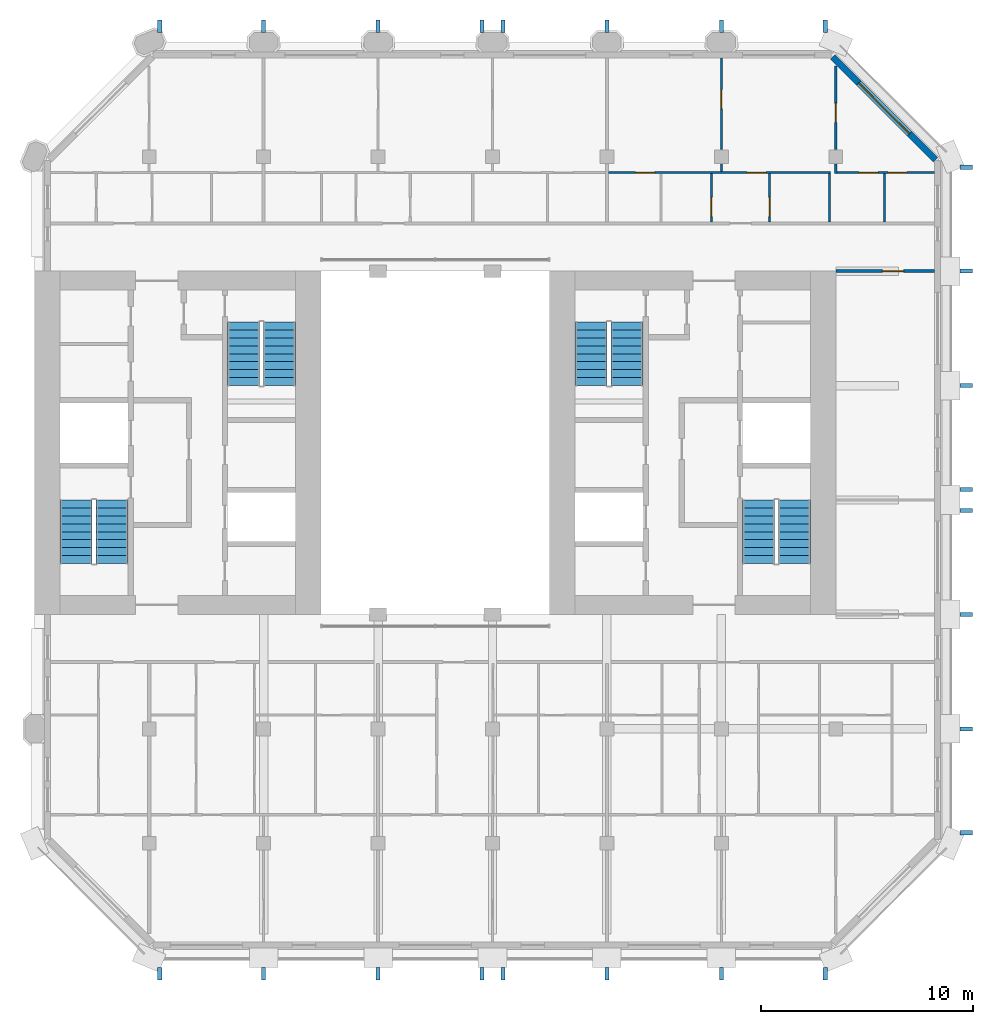
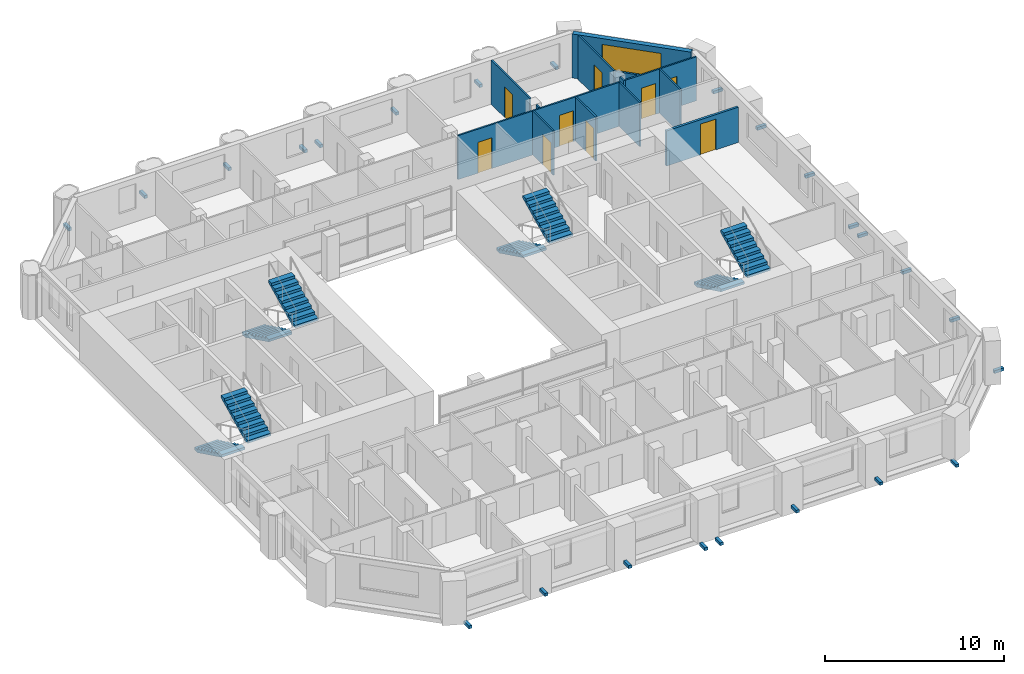
# One storey, part 11 of 13: 24 discrete accessories, 12 walls, 9 doors, 8 stair flights, 1 window, 10 openings, 4 elements without a shape of their own.
"""IFC4 building model written with IfcOpenShell, lengths in metres."""

from ifc_helpers import new_model, si_unit, direction, frame, frame_2d, origin, origin_2d, place, context, subcontext, project, spatial, polyline, rectangle, outline, extrude, material, layer, layer_set, type_object, element, fill, aggregate, save


model = new_model("IFC4")

# Units and contexts
model_context = context("Model", 3, precision=1e-05, world=origin(), true_north=direction((0.0, 1.0)))
body_context = subcontext(model_context, "Body", "Model", "MODEL_VIEW")
ifc_project = project(units=[si_unit("LENGTHUNIT", "METRE"), si_unit("AREAUNIT", "SQUARE_METRE"), si_unit("VOLUMEUNIT", "CUBIC_METRE"), si_unit("PLANEANGLEUNIT", "RADIAN"), si_unit("MASSUNIT", "GRAM", prefix="KILO")], contexts=[model_context])

# Site, building, storey
site_placement = place(None, origin())
site = spatial("IfcSite", under=ifc_project, at=site_placement, CompositionType="ELEMENT")
building_placement = place(site_placement, origin())
building = spatial("IfcBuilding", under=site, at=building_placement, Name="Tabaq Tower and Sports Hall", CompositionType="ELEMENT")
storey_placement = place(building_placement, frame((0.0, 0.0, 271.89990234375)))
storey = spatial("IfcBuildingStorey", under=building, at=storey_placement, Name="L66", CompositionType="ELEMENT", Elevation=271.89990234375)

# Wall
ifc_material_1 = material(Name="Gypsum board on steel studs", Category="steel")
ifc_layer_1 = layer(ifc_material_1, 0.10009765625)
ifc_layer_set_1 = layer_set([ifc_layer_1], Name="Partition 100 Gypsum board")
wall_type_1 = type_object("IfcWallType", Name="Partition 100 Gypsum board", PredefinedType="PARTITIONING", material=ifc_layer_set_1)
wall_1_placement = place(storey_placement, frame((37.800048828125, 37.10009765625, 0.0), z_axis=(0.0, 0.0, 1.0), x_axis=(0.0, 1.0, 0.0)))
element("IfcWall", 1, at=wall_1_placement, inside=storey, type_object=wall_type_1, Name="Partition wall L66", PredefinedType="PARTITIONING", context=body_context, shape_type="SweptSolid", body=[
    extrude(rectangle(XDim=0.35498046875, YDim=0.10009765625, at=frame_2d((0.177490234375, 0.0))), origin(), (0.0, 0.0, 1.0), 3.0),
])

# Wall, opening, door
wall_2_placement = place(storey_placement, frame((37.800048828125, 38.14501953125, 0.0), z_axis=(0.0, 0.0, 1.0), x_axis=(0.0, 1.0, 0.0)))
wall_2 = element("IfcWall", 2, at=wall_2_placement, inside=storey, type_object=wall_type_1, Name="Partition wall L66", PredefinedType="PARTITIONING", context=body_context, shape_type="SweptSolid", body=[
    extrude(rectangle(XDim=4.303955078125, YDim=0.10009765625, at=frame_2d((2.15185546875, 0.0))), origin(), (0.0, 0.0, 1.0), 3.0),
])
opening_1_placement = place(wall_2_placement, frame((1.91796875, 0.0, 0.0)))
opening_1 = element("IfcOpeningElement", 3, at=opening_1_placement, cuts=wall_2, Name="Opening L66-035", PredefinedType="OPENING", context=body_context, shape_type="SweptSolid", body=[
    extrude(rectangle(XDim=0.89990234375, YDim=2.10009765625, at=frame_2d((0.449951171875, 1.050048828125))), frame((0.0, 0.050048828125, 0.0), z_axis=(0.0, -1.0, 0.0), x_axis=(1.0, 0.0, 0.0)), (0.0, 0.0, 1.0), 0.10009765625),
])
ifc_material_2 = material(Name="Timber leaf in steel frame", Category="steel")
door_type_1 = type_object("IfcDoorType", Name="Internal door 900 right hand", OperationType="SINGLE_SWING_RIGHT", PredefinedType="DOOR", material=ifc_material_2)
door_1_placement = place(opening_1_placement, origin())
door_1 = element("IfcDoor", 4, at=door_1_placement, inside=storey, type_object=door_type_1, Name="Internal door L66-035", OperationType="SINGLE_SWING_RIGHT", OverallHeight=2.10009765625, OverallWidth=0.89990234375, PredefinedType="DOOR", context=body_context, shape_type="SweptSolid", body=[
    extrude(rectangle(XDim=0.89990234375, YDim=2.10009765625, at=frame_2d((0.449951171875, 1.050048828125))), frame((0.0, 0.02490234375, 0.0), z_axis=(0.0, -1.0, 0.0), x_axis=(1.0, 0.0, 0.0)), (0.0, 0.0, 1.0), 0.050048828125),
])
fill(opening_1, door_1)

# Wall, openings, doors
wall_3_placement = place(storey_placement, frame((32.47509765625, 37.050048828125, 0.0), z_axis=(0.0, 0.0, 1.0), x_axis=(1.0, 0.0, 0.0)))
wall_3 = element("IfcWall", 5, at=wall_3_placement, inside=storey, type_object=wall_type_1, Name="Partition wall L66", PredefinedType="PARTITIONING", context=body_context, shape_type="SweptSolid", body=[
    extrude(rectangle(XDim=10.48486328125, YDim=0.10009765625, at=frame_2d((5.242431640625, 0.0))), origin(), (0.0, 0.0, 1.0), 3.0),
])
opening_2_placement = place(wall_3_placement, frame((1.27490234375, 0.0, 0.0)))
opening_2 = element("IfcOpeningElement", 6, at=opening_2_placement, cuts=wall_3, Name="Opening L66-008", PredefinedType="OPENING", context=body_context, shape_type="SweptSolid", body=[
    extrude(rectangle(XDim=0.89990234375, YDim=2.10009765625, at=frame_2d((0.449951171875, 1.050048828125))), frame((0.0, 0.050048828125, 0.0), z_axis=(0.0, -1.0, 0.0), x_axis=(1.0, 0.0, 0.0)), (0.0, 0.0, 1.0), 0.10009765625),
])
opening_3_placement = place(wall_3_placement, frame((6.534912109375, 0.0, 0.0)))
opening_3 = element("IfcOpeningElement", 7, at=opening_3_placement, cuts=wall_3, Name="Opening L66-054", PredefinedType="OPENING", context=body_context, shape_type="SweptSolid", body=[
    extrude(rectangle(XDim=0.89990234375, YDim=2.10009765625, at=frame_2d((0.449951171875, 1.050048828125))), frame((0.0, 0.050048828125, 0.0), z_axis=(0.0, -1.0, 0.0), x_axis=(1.0, 0.0, 0.0)), (0.0, 0.0, 1.0), 0.10009765625),
])
door_2_placement = place(opening_2_placement, origin())
door_2 = element("IfcDoor", 8, at=door_2_placement, inside=storey, type_object=door_type_1, Name="Internal door L66-008", OperationType="SINGLE_SWING_RIGHT", OverallHeight=2.10009765625, OverallWidth=0.89990234375, PredefinedType="DOOR", context=body_context, shape_type="SweptSolid", body=[
    extrude(rectangle(XDim=0.89990234375, YDim=2.10009765625, at=frame_2d((0.449951171875, 1.050048828125))), frame((0.0, 0.02490234375, 0.0), z_axis=(0.0, -1.0, 0.0), x_axis=(1.0, 0.0, 0.0)), (0.0, 0.0, 1.0), 0.050048828125),
])
fill(opening_2, door_2)
door_3_placement = place(opening_3_placement, origin())
door_3 = element("IfcDoor", 9, at=door_3_placement, inside=storey, type_object=door_type_1, Name="Internal door L66-054", OperationType="SINGLE_SWING_RIGHT", OverallHeight=2.10009765625, OverallWidth=0.89990234375, PredefinedType="DOOR", context=body_context, shape_type="SweptSolid", body=[
    extrude(rectangle(XDim=0.89990234375, YDim=2.10009765625, at=frame_2d((0.449951171875, 1.050048828125))), frame((0.0, 0.02490234375, 0.0), z_axis=(0.0, -1.0, 0.0), x_axis=(1.0, 0.0, 0.0)), (0.0, 0.0, 1.0), 0.050048828125),
])
fill(opening_3, door_3)

# Wall
wall_4_placement = place(storey_placement, frame((43.199951171875, 37.0, 0.0), z_axis=(0.0, 0.0, 1.0), x_axis=(0.0, 1.0, 0.0)))
element("IfcWall", 10, at=wall_4_placement, inside=storey, type_object=wall_type_1, Name="Partition wall L66", PredefinedType="PARTITIONING", context=body_context, shape_type="SweptSolid", body=[
    extrude(rectangle(XDim=0.455078125, YDim=0.10009765625, at=frame_2d((0.2275390625, 0.0))), origin(), (0.0, 0.0, 1.0), 3.0),
])

# Wall, opening, door
wall_5_placement = place(storey_placement, frame((43.199951171875, 38.14501953125, 0.0), z_axis=(0.0, 0.0, 1.0), x_axis=(0.0, 1.0, 0.0)))
wall_5 = element("IfcWall", 11, at=wall_5_placement, inside=storey, type_object=wall_type_1, Name="Partition wall L66", PredefinedType="PARTITIONING", context=body_context, shape_type="SweptSolid", body=[
    extrude(rectangle(XDim=3.94287109375, YDim=0.10009765625, at=frame_2d((1.971435546875, 0.0))), origin(), (0.0, 0.0, 1.0), 3.0),
])
opening_4_placement = place(wall_5_placement, frame((1.273681640625, 0.0, 0.0)))
opening_4 = element("IfcOpeningElement", 12, at=opening_4_placement, cuts=wall_5, Name="Opening L66-053", PredefinedType="OPENING", context=body_context, shape_type="SweptSolid", body=[
    extrude(rectangle(XDim=0.89990234375, YDim=2.10009765625, at=frame_2d((0.449951171875, 1.050048828125))), frame((0.0, 0.050048828125, 0.0), z_axis=(0.0, -1.0, 0.0), x_axis=(1.0, 0.0, 0.0)), (0.0, 0.0, 1.0), 0.10009765625),
])
ifc_material_3 = material(Name="Timber leaf in steel frame", Category="steel")
door_type_2 = type_object("IfcDoorType", Name="Internal door 900 left hand", OperationType="SINGLE_SWING_LEFT", PredefinedType="DOOR", material=ifc_material_3)
door_4_placement = place(opening_4_placement, origin())
door_4 = element("IfcDoor", 13, at=door_4_placement, inside=storey, type_object=door_type_2, Name="Internal door L66-053", OperationType="SINGLE_SWING_LEFT", OverallHeight=2.10009765625, OverallWidth=0.89990234375, PredefinedType="DOOR", context=body_context, shape_type="SweptSolid", body=[
    extrude(rectangle(XDim=0.89990234375, YDim=2.10009765625, at=frame_2d((0.449951171875, 1.050048828125))), frame((0.0, 0.02490234375, 0.0), z_axis=(0.0, -1.0, 0.0), x_axis=(1.0, 0.0, 0.0)), (0.0, 0.0, 1.0), 0.050048828125),
])
fill(opening_4, door_4)

# Wall, openings, doors
wall_6_placement = place(storey_placement, frame((43.25, 37.050048828125, 0.0), z_axis=(0.0, 0.0, 1.0), x_axis=(1.0, 0.0, 0.0)))
wall_6 = element("IfcWall", 14, at=wall_6_placement, inside=storey, type_object=wall_type_1, Name="Partition wall L66", PredefinedType="PARTITIONING", context=body_context, shape_type="SweptSolid", body=[
    extrude(rectangle(XDim=4.59912109375, YDim=0.10009765625, at=frame_2d((2.299560546875, 0.0))), origin(), (0.0, 0.0, 1.0), 3.0),
])
opening_5_placement = place(wall_6_placement, frame((1.050048828125, 0.0, 0.0)))
opening_5 = element("IfcOpeningElement", 15, at=opening_5_placement, cuts=wall_6, Name="Opening L66-009", PredefinedType="OPENING", context=body_context, shape_type="SweptSolid", body=[
    extrude(rectangle(XDim=0.89990234375, YDim=2.10009765625, at=frame_2d((0.449951171875, 1.050048828125))), frame((0.0, 0.050048828125, 0.0), z_axis=(0.0, -1.0, 0.0), x_axis=(1.0, 0.0, 0.0)), (0.0, 0.0, 1.0), 0.10009765625),
])
opening_6_placement = place(wall_6_placement, frame((2.419921875, 0.0, 0.0)))
opening_6 = element("IfcOpeningElement", 16, at=opening_6_placement, cuts=wall_6, Name="Opening L66-010", PredefinedType="OPENING", context=body_context, shape_type="SweptSolid", body=[
    extrude(rectangle(XDim=0.89990234375, YDim=2.10009765625, at=frame_2d((0.449951171875, 1.050048828125))), frame((0.0, 0.050048828125, 0.0), z_axis=(0.0, -1.0, 0.0), x_axis=(1.0, 0.0, 0.0)), (0.0, 0.0, 1.0), 0.10009765625),
])
door_5_placement = place(opening_5_placement, origin())
door_5 = element("IfcDoor", 17, at=door_5_placement, inside=storey, type_object=door_type_2, Name="Internal door L66-009", OperationType="SINGLE_SWING_LEFT", OverallHeight=2.10009765625, OverallWidth=0.89990234375, PredefinedType="DOOR", context=body_context, shape_type="SweptSolid", body=[
    extrude(rectangle(XDim=0.89990234375, YDim=2.10009765625, at=frame_2d((0.449951171875, 1.050048828125))), frame((0.0, 0.02490234375, 0.0), z_axis=(0.0, -1.0, 0.0), x_axis=(1.0, 0.0, 0.0)), (0.0, 0.0, 1.0), 0.050048828125),
])
fill(opening_5, door_5)
door_6_placement = place(opening_6_placement, origin())
door_6 = element("IfcDoor", 18, at=door_6_placement, inside=storey, type_object=door_type_1, Name="Internal door L66-010", OperationType="SINGLE_SWING_RIGHT", OverallHeight=2.10009765625, OverallWidth=0.89990234375, PredefinedType="DOOR", context=body_context, shape_type="SweptSolid", body=[
    extrude(rectangle(XDim=0.89990234375, YDim=2.10009765625, at=frame_2d((0.449951171875, 1.050048828125))), frame((0.0, 0.02490234375, 0.0), z_axis=(0.0, -1.0, 0.0), x_axis=(1.0, 0.0, 0.0)), (0.0, 0.0, 1.0), 0.050048828125),
])
fill(opening_6, door_6)

# Wall, opening, door
wall_7_placement = place(storey_placement, frame((37.330078125, 34.72509765625, 0.0), z_axis=(0.0, 0.0, 1.0), x_axis=(0.0, 1.0, 0.0)))
wall_7 = element("IfcWall", 19, at=wall_7_placement, inside=storey, type_object=wall_type_1, Name="Partition wall L66", PredefinedType="PARTITIONING", context=body_context, shape_type="SweptSolid", body=[
    extrude(rectangle(XDim=2.27490234375, YDim=0.10009765625, at=frame_2d((1.137451171875, 0.0))), origin(), (0.0, 0.0, 1.0), 3.0),
])
opening_7_placement = place(wall_7_placement, frame((0.25, 0.0, 0.0)))
opening_7 = element("IfcOpeningElement", 20, at=opening_7_placement, cuts=wall_7, Name="Opening L66-011", PredefinedType="OPENING", context=body_context, shape_type="SweptSolid", body=[
    extrude(rectangle(XDim=0.89990234375, YDim=2.10009765625, at=frame_2d((0.449951171875, 1.050048828125))), frame((0.0, 0.050048828125, 0.0), z_axis=(0.0, -1.0, 0.0), x_axis=(1.0, 0.0, 0.0)), (0.0, 0.0, 1.0), 0.10009765625),
])
door_7_placement = place(opening_7_placement, origin())
door_7 = element("IfcDoor", 21, at=door_7_placement, inside=storey, type_object=door_type_2, Name="Internal door L66-011", OperationType="SINGLE_SWING_LEFT", OverallHeight=2.10009765625, OverallWidth=0.89990234375, PredefinedType="DOOR", context=body_context, shape_type="SweptSolid", body=[
    extrude(rectangle(XDim=0.89990234375, YDim=2.10009765625, at=frame_2d((0.449951171875, 1.050048828125))), frame((0.0, 0.02490234375, 0.0), z_axis=(0.0, -1.0, 0.0), x_axis=(1.0, 0.0, 0.0)), (0.0, 0.0, 1.0), 0.050048828125),
])
fill(opening_7, door_7)

wall_8_placement = place(storey_placement, frame((40.080078125, 34.72509765625, 0.0), z_axis=(0.0, 0.0, 1.0), x_axis=(0.0, 1.0, 0.0)))
wall_8 = element("IfcWall", 22, at=wall_8_placement, inside=storey, type_object=wall_type_1, Name="Partition wall L66", PredefinedType="PARTITIONING", context=body_context, shape_type="SweptSolid", body=[
    extrude(rectangle(XDim=2.27490234375, YDim=0.10009765625, at=frame_2d((1.137451171875, 0.0))), origin(), (0.0, 0.0, 1.0), 3.0),
])
opening_8_placement = place(wall_8_placement, frame((0.25, 0.0, 0.0)))
opening_8 = element("IfcOpeningElement", 23, at=opening_8_placement, cuts=wall_8, Name="Opening L66-012", PredefinedType="OPENING", context=body_context, shape_type="SweptSolid", body=[
    extrude(rectangle(XDim=0.89990234375, YDim=2.10009765625, at=frame_2d((0.449951171875, 1.050048828125))), frame((0.0, 0.050048828125, 0.0), z_axis=(0.0, -1.0, 0.0), x_axis=(1.0, 0.0, 0.0)), (0.0, 0.0, 1.0), 0.10009765625),
])
door_8_placement = place(opening_8_placement, origin())
door_8 = element("IfcDoor", 24, at=door_8_placement, inside=storey, type_object=door_type_1, Name="Internal door L66-012", OperationType="SINGLE_SWING_RIGHT", OverallHeight=2.10009765625, OverallWidth=0.89990234375, PredefinedType="DOOR", context=body_context, shape_type="SweptSolid", body=[
    extrude(rectangle(XDim=0.89990234375, YDim=2.10009765625, at=frame_2d((0.449951171875, 1.050048828125))), frame((0.0, 0.02490234375, 0.0), z_axis=(0.0, -1.0, 0.0), x_axis=(1.0, 0.0, 0.0)), (0.0, 0.0, 1.0), 0.050048828125),
])
fill(opening_8, door_8)

# Walls
for number, where, z_axis, x_axis, name in (
    (25, (42.909912109375, 34.72509765625, 0.0), (0.0, 0.0, 1.0), (0.0, 1.0, 0.0), "Partition wall L66"),
    (26, (45.5, 34.72509765625, 0.0), (0.0, 0.0, 1.0), (0.0, 1.0, 0.0), "Partition wall L66"),
):
    element("IfcWall", number, at=place(storey_placement, frame(where, z_axis=z_axis, x_axis=x_axis)), inside=storey, type_object=wall_type_1, Name=name, PredefinedType="PARTITIONING", context=body_context, shape_type="SweptSolid", body=[
        extrude(rectangle(XDim=2.27490234375, YDim=0.10009765625, at=frame_2d((1.137451171875, 0.0))), origin(), (0.0, 0.0, 1.0), 3.0),
    ])

# Wall, opening, door
ifc_material_4 = material(Name="Blockwork", Category="masonry")
ifc_layer_2 = layer(ifc_material_4, 0.14990234375)
ifc_layer_set_2 = layer_set([ifc_layer_2], Name="Separating wall 150 Blockwork")
wall_type_2 = type_object("IfcWallType", Name="Separating wall 150 Blockwork", PredefinedType="PARTITIONING", material=ifc_layer_set_2)
wall_9_placement = place(storey_placement, frame((47.84912109375, 32.39990234375, 0.0), z_axis=(0.0, 0.0, 1.0), x_axis=(-1.0, 0.0, 0.0)))
wall_9 = element("IfcWall", 27, at=wall_9_placement, inside=storey, type_object=wall_type_2, Name="Separating wall L66", PredefinedType="PARTITIONING", context=body_context, shape_type="SweptSolid", body=[
    extrude(rectangle(XDim=4.649169921875, YDim=0.14990234375, at=frame_2d((2.32470703125, 0.0))), origin(), (0.0, 0.0, 1.0), 2.400146484375),
])
opening_9_placement = place(wall_9_placement, frame((1.448974609375, 0.0, 0.0)))
opening_9 = element("IfcOpeningElement", 28, at=opening_9_placement, cuts=wall_9, Name="Opening L66-013", PredefinedType="OPENING", context=body_context, shape_type="SweptSolid", body=[
    extrude(rectangle(XDim=1.0, YDim=2.10009765625, at=frame_2d((0.5, 1.050048828125))), frame((0.0, 0.074951171875, 0.0), z_axis=(0.0, -1.0, 0.0), x_axis=(1.0, 0.0, 0.0)), (0.0, 0.0, 1.0), 0.14990234375),
])
ifc_material_5 = material(Name="Timber leaf in steel frame", Category="steel")
door_type_3 = type_object("IfcDoorType", Name="Internal door 1000 left hand", OperationType="SINGLE_SWING_LEFT", PredefinedType="DOOR", material=ifc_material_5)
door_9_placement = place(opening_9_placement, origin())
door_9 = element("IfcDoor", 29, at=door_9_placement, inside=storey, type_object=door_type_3, Name="Internal door L66-013", OperationType="SINGLE_SWING_LEFT", OverallHeight=2.10009765625, OverallWidth=1.0, PredefinedType="DOOR", context=body_context, shape_type="SweptSolid", body=[
    extrude(rectangle(XDim=1.0, YDim=2.10009765625, at=frame_2d((0.5, 1.050048828125))), frame((0.0, 0.02490234375, 0.0), z_axis=(0.0, -1.0, 0.0), x_axis=(1.0, 0.0, 0.0)), (0.0, 0.0, 1.0), 0.050048828125),
])
fill(opening_9, door_9)

# Wall, opening, window
ifc_material_6 = material(Name="White precast concrete C60/75", Category="concrete")
ifc_layer_3 = layer(ifc_material_6, 0.300048828125)
ifc_layer_set_3 = layer_set([ifc_layer_3], Name="White precast concrete C60/75 external wall 300")
wall_type_3 = type_object("IfcWallType", Name="White precast concrete C60/75 external wall 300", PredefinedType="SOLIDWALL", material=ifc_layer_set_3)
wall_10_placement = place(storey_placement, frame((47.901123046875, 37.650390625, 0.0), z_axis=(0.0, 0.0, 1.0), x_axis=(-0.707106781187, 0.707106781187, 0.0)))
wall_10 = element("IfcWall", 30, at=wall_10_placement, inside=storey, type_object=wall_type_3, Name="External Wall L66 NE", PredefinedType="SOLIDWALL", context=body_context, shape_type="SweptSolid", body=[
    extrude(rectangle(XDim=6.85986328125, YDim=0.300048828125, at=frame_2d((3.429931640625, 0.0))), origin(), (0.0, 0.0, 1.0), 3.0),
])
opening_10_placement = place(wall_10_placement, frame((1.729736328125, 0.0, 0.89990234375)))
opening_10 = element("IfcOpeningElement", 31, at=opening_10_placement, cuts=wall_10, Name="Opening W1A", PredefinedType="OPENING", context=body_context, shape_type="SweptSolid", body=[
    extrude(rectangle(XDim=3.39990234375, YDim=1.699951171875, at=frame_2d((1.699951171875, 0.85009765625))), frame((0.0, 0.16015625, 0.0), z_axis=(0.0, -1.0, 0.0), x_axis=(1.0, 0.0, 0.0)), (0.0, 0.0, 1.0), 0.320068359375),
])
ifc_material_7 = material(Name="Aluminium framed clear glazing", Category="aluminium")
window_type = type_object("IfcWindowType", Name="Window W1A", PartitioningType="SINGLE_PANEL", PredefinedType="WINDOW", material=ifc_material_7)
window_placement = place(opening_10_placement, origin())
window = element("IfcWindow", 32, at=window_placement, inside=storey, type_object=window_type, Name="Window W1A L66", OverallHeight=1.699951171875, OverallWidth=3.39990234375, PartitioningType="SINGLE_PANEL", PredefinedType="WINDOW", context=body_context, shape_type="SweptSolid", body=[
    extrude(rectangle(XDim=3.39990234375, YDim=1.699951171875, at=frame_2d((1.699951171875, 0.85009765625))), frame((0.0, 0.030029296875, 0.0), z_axis=(0.0, -1.0, 0.0), x_axis=(1.0, 0.0, 0.0)), (0.0, 0.0, 1.0), 0.06005859375),
])
fill(opening_10, window)

# Stair, stair flights
ifc_material_8 = material(Name="Concrete C40/50", Category="concrete")
stair_type = type_object("IfcStairType", Name="Exit stair", PredefinedType="HALF_TURN_STAIR", material=ifc_material_8)
stair_1_placement = place(storey_placement, origin())
stair_1 = element("IfcStair", 33, at=stair_1_placement, inside=storey, type_object=stair_type, Name="L66 Exit stair ST1", PredefinedType="HALF_TURN_STAIR")
ifc_material_9 = material(Name="Concrete C40/50", Category="concrete")
stair_flight_type = type_object("IfcStairFlightType", Name="Exit stair flight", PredefinedType="STRAIGHT", material=ifc_material_9)
stair_flight_1_placement = place(storey_placement, frame((7.35009765625, 21.60009765625, 0.0), z_axis=(0.0, 0.0, 1.0), x_axis=(0.0, -1.0, 0.0)))
stair_flight_1 = element("IfcStairFlight", 34, at=stair_flight_1_placement, type_object=stair_flight_type, Name="ST1 flight 1", NumberOfRisers=9, NumberOfTreads=8, PredefinedType="STRAIGHT", RiserHeight=0.183333333, TreadLength=0.375, context=body_context, shape_type="SweptSolid", body=[
    extrude(outline(polyline([(0.0, 0.0), (0.0, 0.183349609375), (0.375, 0.183349609375), (0.375, 0.36669921875), (0.75, 0.36669921875), (0.75, 0.550048828125), (1.125, 0.550048828125), (1.125, 0.7333984375), (1.5, 0.7333984375), (1.5, 0.916748046875), (1.875, 0.916748046875), (1.875, 1.10009765625), (2.25, 1.10009765625), (2.25, 1.283447265625), (2.625, 1.283447265625), (2.625, 1.466552734375), (3.0, 1.466552734375), (3.0, 1.64990234375), (3.0, 1.2998046875), (0.34130859375, 0.0), (0.0, 0.0)])), frame((0.0, 0.75, 0.0), z_axis=(0.0, -1.0, 0.0), x_axis=(1.0, 0.0, 0.0)), (0.0, 0.0, 1.0), 1.5),
])
stair_flight_2_placement = place(storey_placement, frame((9.050048828125, 18.60009765625, 1.650146484375), z_axis=(0.0, 0.0, 1.0), x_axis=(0.0, 1.0, 0.0)))
stair_flight_2 = element("IfcStairFlight", 35, at=stair_flight_2_placement, type_object=stair_flight_type, Name="ST1 flight 2", NumberOfRisers=9, NumberOfTreads=8, PredefinedType="STRAIGHT", RiserHeight=0.183333333, TreadLength=0.375, context=body_context, shape_type="SweptSolid", body=[
    extrude(outline(polyline([(0.0, 0.0), (0.0, 0.183349609375), (0.375, 0.183349609375), (0.375, 0.36669921875), (0.75, 0.36669921875), (0.75, 0.550048828125), (1.125, 0.550048828125), (1.125, 0.7333984375), (1.5, 0.7333984375), (1.5, 0.916748046875), (1.875, 0.916748046875), (1.875, 1.10009765625), (2.25, 1.10009765625), (2.25, 1.283447265625), (2.625, 1.283447265625), (2.625, 1.466552734375), (3.0, 1.466552734375), (3.0, 1.64990234375), (3.0, 1.2998046875), (0.34130859375, 0.0), (0.0, 0.0)])), frame((0.0, 0.75, 0.0), z_axis=(0.0, -1.0, 0.0), x_axis=(1.0, 0.0, 0.0)), (0.0, 0.0, 1.0), 1.5),
])
aggregate(stair_1, [stair_flight_1, stair_flight_2])

stair_2_placement = place(storey_placement, origin())
stair_2 = element("IfcStair", 36, at=stair_2_placement, inside=storey, type_object=stair_type, Name="L66 Exit stair ST2", PredefinedType="HALF_TURN_STAIR")
stair_flight_3_placement = place(storey_placement, frame((15.25, 30.0, 0.0), z_axis=(0.0, 0.0, 1.0), x_axis=(0.0, -1.0, 0.0)))
stair_flight_3 = element("IfcStairFlight", 37, at=stair_flight_3_placement, type_object=stair_flight_type, Name="ST2 flight 1", NumberOfRisers=9, NumberOfTreads=8, PredefinedType="STRAIGHT", RiserHeight=0.183333333, TreadLength=0.375, context=body_context, shape_type="SweptSolid", body=[
    extrude(outline(polyline([(0.0, 0.0), (0.0, 0.183349609375), (0.375, 0.183349609375), (0.375, 0.36669921875), (0.75, 0.36669921875), (0.75, 0.550048828125), (1.125, 0.550048828125), (1.125, 0.7333984375), (1.5, 0.7333984375), (1.5, 0.916748046875), (1.875, 0.916748046875), (1.875, 1.10009765625), (2.25, 1.10009765625), (2.25, 1.283447265625), (2.625, 1.283447265625), (2.625, 1.466552734375), (3.0, 1.466552734375), (3.0, 1.64990234375), (3.0, 1.2998046875), (0.34130859375, 0.0), (0.0, 0.0)])), frame((0.0, 0.75, 0.0), z_axis=(0.0, -1.0, 0.0), x_axis=(1.0, 0.0, 0.0)), (0.0, 0.0, 1.0), 1.5),
])
stair_flight_4_placement = place(storey_placement, frame((16.949951171875, 27.0, 1.650146484375), z_axis=(0.0, 0.0, 1.0), x_axis=(0.0, 1.0, 0.0)))
stair_flight_4 = element("IfcStairFlight", 38, at=stair_flight_4_placement, type_object=stair_flight_type, Name="ST2 flight 2", NumberOfRisers=9, NumberOfTreads=8, PredefinedType="STRAIGHT", RiserHeight=0.183333333, TreadLength=0.375, context=body_context, shape_type="SweptSolid", body=[
    extrude(outline(polyline([(0.0, 0.0), (0.0, 0.183349609375), (0.375, 0.183349609375), (0.375, 0.36669921875), (0.75, 0.36669921875), (0.75, 0.550048828125), (1.125, 0.550048828125), (1.125, 0.7333984375), (1.5, 0.7333984375), (1.5, 0.916748046875), (1.875, 0.916748046875), (1.875, 1.10009765625), (2.25, 1.10009765625), (2.25, 1.283447265625), (2.625, 1.283447265625), (2.625, 1.466552734375), (3.0, 1.466552734375), (3.0, 1.64990234375), (3.0, 1.2998046875), (0.34130859375, 0.0), (0.0, 0.0)])), frame((0.0, 0.75, 0.0), z_axis=(0.0, -1.0, 0.0), x_axis=(1.0, 0.0, 0.0)), (0.0, 0.0, 1.0), 1.5),
])
aggregate(stair_2, [stair_flight_3, stair_flight_4])

stair_3_placement = place(storey_placement, origin())
stair_3 = element("IfcStair", 39, at=stair_3_placement, inside=storey, type_object=stair_type, Name="L66 Exit stair ST3", PredefinedType="HALF_TURN_STAIR")
stair_flight_5_placement = place(storey_placement, frame((39.550048828125, 21.60009765625, 0.0), z_axis=(0.0, 0.0, 1.0), x_axis=(0.0, -1.0, 0.0)))
stair_flight_5 = element("IfcStairFlight", 40, at=stair_flight_5_placement, type_object=stair_flight_type, Name="ST3 flight 1", NumberOfRisers=9, NumberOfTreads=8, PredefinedType="STRAIGHT", RiserHeight=0.183333333, TreadLength=0.375, context=body_context, shape_type="SweptSolid", body=[
    extrude(outline(polyline([(0.0, 0.0), (0.0, 0.183349609375), (0.375, 0.183349609375), (0.375, 0.36669921875), (0.75, 0.36669921875), (0.75, 0.550048828125), (1.125, 0.550048828125), (1.125, 0.7333984375), (1.5, 0.7333984375), (1.5, 0.916748046875), (1.875, 0.916748046875), (1.875, 1.10009765625), (2.25, 1.10009765625), (2.25, 1.283447265625), (2.625, 1.283447265625), (2.625, 1.466552734375), (3.0, 1.466552734375), (3.0, 1.64990234375), (3.0, 1.2998046875), (0.34130859375, 0.0), (0.0, 0.0)])), frame((0.0, 0.75, 0.0), z_axis=(0.0, -1.0, 0.0), x_axis=(1.0, 0.0, 0.0)), (0.0, 0.0, 1.0), 1.5),
])
stair_flight_6_placement = place(storey_placement, frame((41.25, 18.60009765625, 1.650146484375), z_axis=(0.0, 0.0, 1.0), x_axis=(0.0, 1.0, 0.0)))
stair_flight_6 = element("IfcStairFlight", 41, at=stair_flight_6_placement, type_object=stair_flight_type, Name="ST3 flight 2", NumberOfRisers=9, NumberOfTreads=8, PredefinedType="STRAIGHT", RiserHeight=0.183333333, TreadLength=0.375, context=body_context, shape_type="SweptSolid", body=[
    extrude(outline(polyline([(0.0, 0.0), (0.0, 0.183349609375), (0.375, 0.183349609375), (0.375, 0.36669921875), (0.75, 0.36669921875), (0.75, 0.550048828125), (1.125, 0.550048828125), (1.125, 0.7333984375), (1.5, 0.7333984375), (1.5, 0.916748046875), (1.875, 0.916748046875), (1.875, 1.10009765625), (2.25, 1.10009765625), (2.25, 1.283447265625), (2.625, 1.283447265625), (2.625, 1.466552734375), (3.0, 1.466552734375), (3.0, 1.64990234375), (3.0, 1.2998046875), (0.34130859375, 0.0), (0.0, 0.0)])), frame((0.0, 0.75, 0.0), z_axis=(0.0, -1.0, 0.0), x_axis=(1.0, 0.0, 0.0)), (0.0, 0.0, 1.0), 1.5),
])
aggregate(stair_3, [stair_flight_5, stair_flight_6])

stair_4_placement = place(storey_placement, origin())
stair_4 = element("IfcStair", 42, at=stair_4_placement, inside=storey, type_object=stair_type, Name="L66 Exit stair ST4", PredefinedType="HALF_TURN_STAIR")
stair_flight_7_placement = place(storey_placement, frame((31.64990234375, 30.0, 0.0), z_axis=(0.0, 0.0, 1.0), x_axis=(0.0, -1.0, 0.0)))
stair_flight_7 = element("IfcStairFlight", 43, at=stair_flight_7_placement, type_object=stair_flight_type, Name="ST4 flight 1", NumberOfRisers=9, NumberOfTreads=8, PredefinedType="STRAIGHT", RiserHeight=0.183333333, TreadLength=0.375, context=body_context, shape_type="SweptSolid", body=[
    extrude(outline(polyline([(0.0, 0.0), (0.0, 0.183349609375), (0.375, 0.183349609375), (0.375, 0.36669921875), (0.75, 0.36669921875), (0.75, 0.550048828125), (1.125, 0.550048828125), (1.125, 0.7333984375), (1.5, 0.7333984375), (1.5, 0.916748046875), (1.875, 0.916748046875), (1.875, 1.10009765625), (2.25, 1.10009765625), (2.25, 1.283447265625), (2.625, 1.283447265625), (2.625, 1.466552734375), (3.0, 1.466552734375), (3.0, 1.64990234375), (3.0, 1.2998046875), (0.34130859375, 0.0), (0.0, 0.0)])), frame((0.0, 0.75, 0.0), z_axis=(0.0, -1.0, 0.0), x_axis=(1.0, 0.0, 0.0)), (0.0, 0.0, 1.0), 1.5),
])
stair_flight_8_placement = place(storey_placement, frame((33.35009765625, 27.0, 1.650146484375), z_axis=(0.0, 0.0, 1.0), x_axis=(0.0, 1.0, 0.0)))
stair_flight_8 = element("IfcStairFlight", 44, at=stair_flight_8_placement, type_object=stair_flight_type, Name="ST4 flight 2", NumberOfRisers=9, NumberOfTreads=8, PredefinedType="STRAIGHT", RiserHeight=0.183333333, TreadLength=0.375, context=body_context, shape_type="SweptSolid", body=[
    extrude(outline(polyline([(0.0, 0.0), (0.0, 0.183349609375), (0.375, 0.183349609375), (0.375, 0.36669921875), (0.75, 0.36669921875), (0.75, 0.550048828125), (1.125, 0.550048828125), (1.125, 0.7333984375), (1.5, 0.7333984375), (1.5, 0.916748046875), (1.875, 0.916748046875), (1.875, 1.10009765625), (2.25, 1.10009765625), (2.25, 1.283447265625), (2.625, 1.283447265625), (2.625, 1.466552734375), (3.0, 1.466552734375), (3.0, 1.64990234375), (3.0, 1.2998046875), (0.34130859375, 0.0), (0.0, 0.0)])), frame((0.0, 0.75, 0.0), z_axis=(0.0, -1.0, 0.0), x_axis=(1.0, 0.0, 0.0)), (0.0, 0.0, 1.0), 1.5),
])
aggregate(stair_4, [stair_flight_7, stair_flight_8])

# Discrete accessories
for number, where, z_axis, x_axis, name in (
    (45, (11.300048828125, -0.75, -0.10009765625), (0.0, 0.0, 1.0), (0.0, -1.0, 0.0), "Stainless steel bracket"),
    (46, (16.199951171875, -0.75, 0.39990234375), (0.0, 0.0, 1.0), (0.0, -1.0, 0.0), "Stainless steel bracket"),
    (47, (21.60009765625, -0.75, 0.39990234375), (0.0, 0.0, 1.0), (0.0, -1.0, 0.0), "Stainless steel bracket"),
    (48, (26.5, -0.75, -0.10009765625), (0.0, 0.0, 1.0), (0.0, -1.0, 0.0), "Stainless steel bracket"),
    (49, (27.5, -0.75, -0.10009765625), (0.0, 0.0, 1.0), (0.0, -1.0, 0.0), "Stainless steel bracket"),
    (50, (32.39990234375, -0.75, 0.39990234375), (0.0, 0.0, 1.0), (0.0, -1.0, 0.0), "Stainless steel bracket"),
    (51, (37.800048828125, -0.75, 0.39990234375), (0.0, 0.0, 1.0), (0.0, -1.0, 0.0), "Stainless steel bracket"),
    (52, (42.699951171875, -0.75, -0.10009765625), (0.0, 0.0, 1.0), (0.0, -1.0, 0.0), "Stainless steel bracket"),
    (53, (49.35009765625, 5.89990234375, -0.10009765625), (0.0, 0.0, 1.0), (1.0, 0.0, 0.0), "Stainless steel bracket"),
    (54, (49.35009765625, 10.800048828125, 0.39990234375), (0.0, 0.0, 1.0), (1.0, 0.0, 0.0), "Stainless steel bracket"),
    (55, (49.35009765625, 16.199951171875, 0.39990234375), (0.0, 0.0, 1.0), (1.0, 0.0, 0.0), "Stainless steel bracket"),
    (56, (49.35009765625, 21.10009765625, -0.10009765625), (0.0, 0.0, 1.0), (1.0, 0.0, 0.0), "Stainless steel bracket"),
    (57, (49.35009765625, 22.10009765625, -0.10009765625), (0.0, 0.0, 1.0), (1.0, 0.0, 0.0), "Stainless steel bracket"),
    (58, (49.35009765625, 27.0, 0.39990234375), (0.0, 0.0, 1.0), (1.0, 0.0, 0.0), "Stainless steel bracket"),
    (59, (49.35009765625, 32.39990234375, 0.39990234375), (0.0, 0.0, 1.0), (1.0, 0.0, 0.0), "Stainless steel bracket"),
    (60, (49.35009765625, 37.300048828125, -0.10009765625), (0.0, 0.0, 1.0), (1.0, 0.0, 0.0), "Stainless steel bracket"),
    (61, (42.699951171875, 43.949951171875, -0.10009765625), (0.0, 0.0, 1.0), (0.0, 1.0, 0.0), "Stainless steel bracket"),
    (62, (37.800048828125, 43.949951171875, 0.39990234375), (0.0, 0.0, 1.0), (0.0, 1.0, 0.0), "Stainless steel bracket"),
    (63, (32.39990234375, 43.949951171875, 0.39990234375), (0.0, 0.0, 1.0), (0.0, 1.0, 0.0), "Stainless steel bracket"),
    (64, (27.5, 43.949951171875, -0.10009765625), (0.0, 0.0, 1.0), (0.0, 1.0, 0.0), "Stainless steel bracket"),
    (65, (26.5, 43.949951171875, -0.10009765625), (0.0, 0.0, 1.0), (0.0, 1.0, 0.0), "Stainless steel bracket"),
    (66, (21.60009765625, 43.949951171875, 0.39990234375), (0.0, 0.0, 1.0), (0.0, 1.0, 0.0), "Stainless steel bracket"),
    (67, (16.199951171875, 43.949951171875, 0.39990234375), (0.0, 0.0, 1.0), (0.0, 1.0, 0.0), "Stainless steel bracket"),
    (68, (11.300048828125, 43.949951171875, -0.10009765625), (0.0, 0.0, 1.0), (0.0, 1.0, 0.0), "Stainless steel bracket"),
):
    element("IfcDiscreteAccessory", number, at=place(storey_placement, frame(where, z_axis=z_axis, x_axis=x_axis)), inside=storey, Name=name, PredefinedType="BRACKET", context=body_context, shape_type="SweptSolid", body=[
        extrude(rectangle(XDim=0.60009765625, YDim=0.199951171875, at=origin_2d()), origin(), (0.0, 0.0, 1.0), 0.199951171875),
    ])

save(model, "model.ifc")
